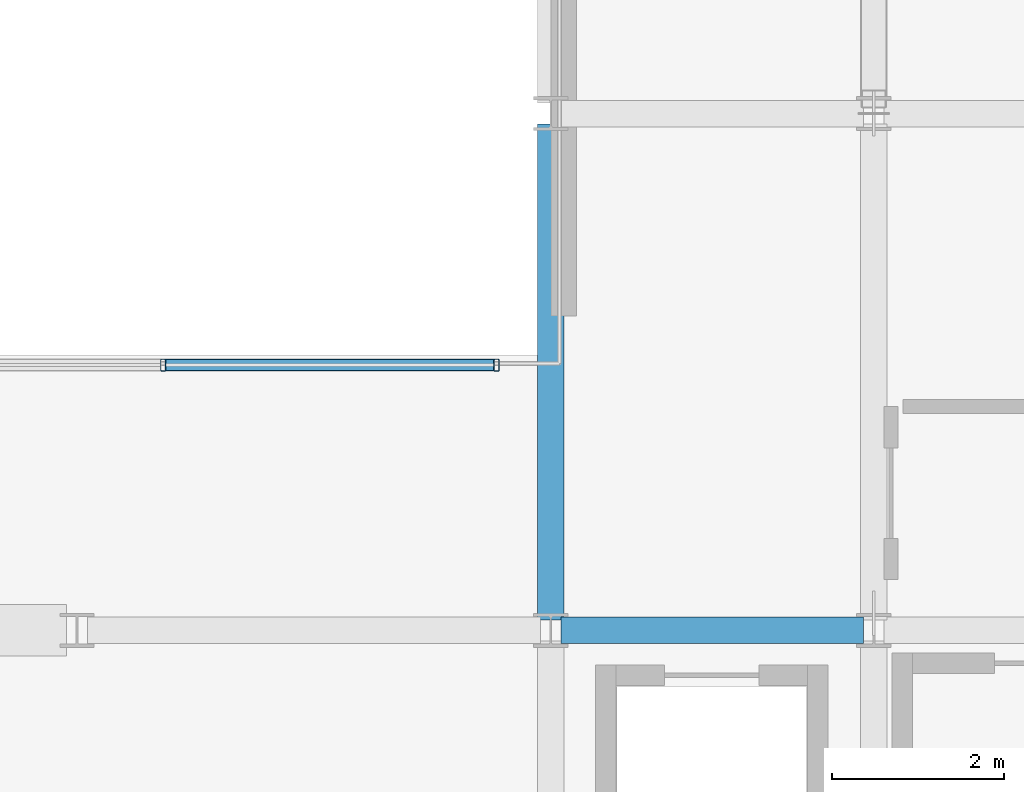
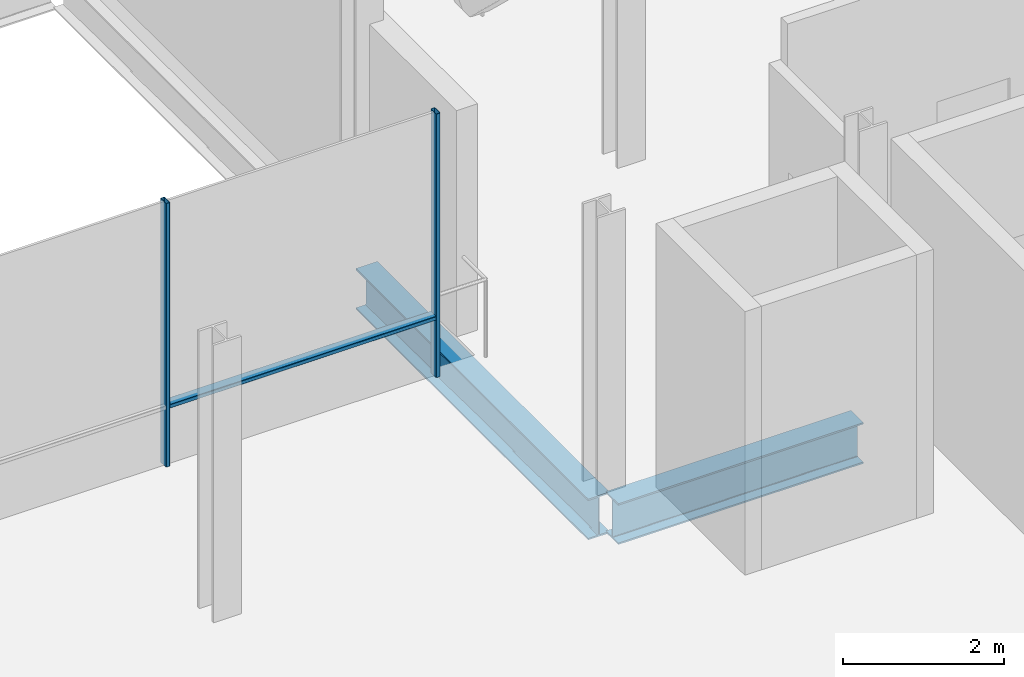
# One storey, part 15 of 33: 3 members, 2 beams, 1 element without a shape of its own.
"""IFC4 building model written with IfcOpenShell, lengths in metres."""

from ifc_helpers import new_model, si_unit, direction, frame, origin, origin_2d, place, context, subcontext, project, spatial, hollow_rectangle, i_section, extrude, material, layer, layer_set, material_profile, profile_set, type_object, element, aggregate, save


model = new_model("IFC4")

# Units and contexts
model_context = context("Model", 3, precision=1e-05, world=origin(), true_north=direction((0.0, 1.0)))
body_context = subcontext(model_context, "Body", "Model", "MODEL_VIEW")
ifc_project = project(units=[si_unit("LENGTHUNIT", "METRE"), si_unit("AREAUNIT", "SQUARE_METRE"), si_unit("VOLUMEUNIT", "CUBIC_METRE"), si_unit("PLANEANGLEUNIT", "RADIAN"), si_unit("MASSUNIT", "GRAM", prefix="KILO")], contexts=[model_context])

# Site, building, storey
site_placement = place(None, origin())
site = spatial("IfcSite", under=ifc_project, at=site_placement, CompositionType="ELEMENT")
building_placement = place(site_placement, origin())
building = spatial("IfcBuilding", under=site, at=building_placement, Name="Brevholm Reach", CompositionType="ELEMENT")
storey_placement = place(building_placement, frame((0.0, 0.0, 179.0)))
storey = spatial("IfcBuildingStorey", under=building, at=storey_placement, Name="L54", CompositionType="ELEMENT", Elevation=179.0)

# Beams
ifc_material_1 = material(Name="Structural Steel S355J2", Category="steel")
ifc_material_profile_1 = material_profile(ifc_material_1, i_section(OverallWidth=0.30712890625, OverallDepth=0.6201171875, WebThickness=0.01416015625, FlangeThickness=0.023681640625, FilletRadius=0.0166015625, at=origin_2d()), Name="UKB 610x305x179")
ifc_profile_set_1 = profile_set([ifc_material_profile_1], Name="Structural Steel S355J2")
beam_type = type_object("IfcBeamType", Name="BM-UKB610H", PredefinedType="USERDEFINED", material=ifc_profile_set_1)
beam_1_placement = place(storey_placement, frame((38.3701171875, 10.0, -0.570068359375), z_axis=(1.0, 0.0, 0.0), x_axis=(0.0, 1.0, 0.0)))
element("IfcBeam", 1, at=beam_1_placement, inside=storey, type_object=beam_type, Name="L54 G-06 Framing Beam", ObjectType="GIRDER", PredefinedType="USERDEFINED", context=body_context, shape_type="SweptSolid", body=[
    extrude(i_section(OverallWidth=0.30712890625, OverallDepth=0.6201171875, WebThickness=0.01416015625, FlangeThickness=0.023681640625, FilletRadius=0.0166015625, at=origin_2d()), origin(), (0.0, 0.0, 1.0), 3.509765625),
])
beam_2_placement = place(storey_placement, frame((38.25, 10.1201171875, -0.570068359375), z_axis=(0.0, 1.0, 0.0), x_axis=(-1.0, 0.0, 0.0)))
element("IfcBeam", 2, at=beam_2_placement, inside=storey, type_object=beam_type, Name="L54 G-06 Framing Beam", ObjectType="GIRDER", PredefinedType="USERDEFINED", context=body_context, shape_type="SweptSolid", body=[
    extrude(i_section(OverallWidth=0.30712890625, OverallDepth=0.6201171875, WebThickness=0.01416015625, FlangeThickness=0.023681640625, FilletRadius=0.0166015625, at=origin_2d()), origin(), (0.0, 0.0, 1.0), 5.759765625),
])

# Curtain wall, members
ifc_material_2 = material(Name="Dark Anodised Aluminium 6063-T6 and Solar-Control Glass", Category="aluminium")
ifc_layer = layer(ifc_material_2, 0.139892578125)
ifc_layer_set = layer_set([ifc_layer], Name="Dark Anodised Aluminium 6063-T6 and Solar-Control Glass")
curtain_wall_type = type_object("IfcCurtainWallType", Name="CW-02", PredefinedType="NOTDEFINED", material=ifc_layer_set)
curtain_wall_placement = place(storey_placement, origin())
curtain_wall = element("IfcCurtainWall", 3, at=curtain_wall_placement, inside=storey, type_object=curtain_wall_type, Name="L54 Curtain Wall CW-02", PredefinedType="NOTDEFINED")
ifc_material_3 = material(Name="Dark Anodised Aluminium 6063-T6", Category="aluminium")
ifc_material_profile_2 = material_profile(ifc_material_3, hollow_rectangle(XDim=0.06005859375, YDim=0.139892578125, WallThickness=0.0048828125, InnerFilletRadius=0.0048828125, OuterFilletRadius=0.010009765625, at=origin_2d()), Name="RHS 140x60x5")
ifc_profile_set_2 = profile_set([ifc_material_profile_2], Name="Dark Anodised Aluminium 6063-T6")
member_type_1 = type_object("IfcMemberType", Name="CWM-140", PredefinedType="MULLION", material=ifc_profile_set_2)
member_1_placement = place(storey_placement, frame((33.75, 13.080078125, 0.0), z_axis=(0.0, 0.0, 1.0), x_axis=(1.0, 0.0, 0.0)))
member_1 = element("IfcMember", 4, at=member_1_placement, type_object=member_type_1, Name="CM-140 Mullion 4", PredefinedType="MULLION", context=body_context, shape_type="SweptSolid", body=[
    extrude(hollow_rectangle(XDim=0.06005859375, YDim=0.139892578125, WallThickness=0.0048828125, InnerFilletRadius=0.0048828125, OuterFilletRadius=0.010009765625, at=origin_2d()), origin(), (0.0, 0.0, 1.0), 3.989990234375),
])
member_2_placement = place(storey_placement, frame((37.6201171875, 13.080078125, 0.0), z_axis=(0.0, 0.0, 1.0), x_axis=(1.0, 0.0, 0.0)))
member_2 = element("IfcMember", 5, at=member_2_placement, type_object=member_type_1, Name="CM-140 Mullion 5", PredefinedType="MULLION", context=body_context, shape_type="SweptSolid", body=[
    extrude(hollow_rectangle(XDim=0.06005859375, YDim=0.139892578125, WallThickness=0.0048828125, InnerFilletRadius=0.0048828125, OuterFilletRadius=0.010009765625, at=origin_2d()), origin(), (0.0, 0.0, 1.0), 3.989990234375),
])
ifc_material_4 = material(Name="Dark Anodised Aluminium 6063-T6", Category="aluminium")
ifc_material_profile_3 = material_profile(ifc_material_4, hollow_rectangle(XDim=0.06005859375, YDim=0.139892578125, WallThickness=0.0048828125, InnerFilletRadius=0.0048828125, OuterFilletRadius=0.010009765625, at=origin_2d()), Name="RHS 140x60x5")
ifc_profile_set_3 = profile_set([ifc_material_profile_3], Name="Dark Anodised Aluminium 6063-T6")
member_type_2 = type_object("IfcMemberType", Name="CWT-140", PredefinedType="NOTDEFINED", material=ifc_profile_set_3)
member_3_placement = place(storey_placement, frame((33.780029296875, 13.080078125, 0.89990234375), z_axis=(1.0, 0.0, 0.0), x_axis=(0.0, 0.0, 1.0)))
member_3 = element("IfcMember", 6, at=member_3_placement, type_object=member_type_2, Name="CT-140 Transom 4.1", ObjectType="TRANSOM", PredefinedType="USERDEFINED", context=body_context, shape_type="SweptSolid", body=[
    extrude(hollow_rectangle(XDim=0.06005859375, YDim=0.139892578125, WallThickness=0.0048828125, InnerFilletRadius=0.0048828125, OuterFilletRadius=0.010009765625, at=origin_2d()), origin(), (0.0, 0.0, 1.0), 3.81005859375),
])
aggregate(curtain_wall, [member_1, member_2, member_3])

save(model, "model.ifc")
